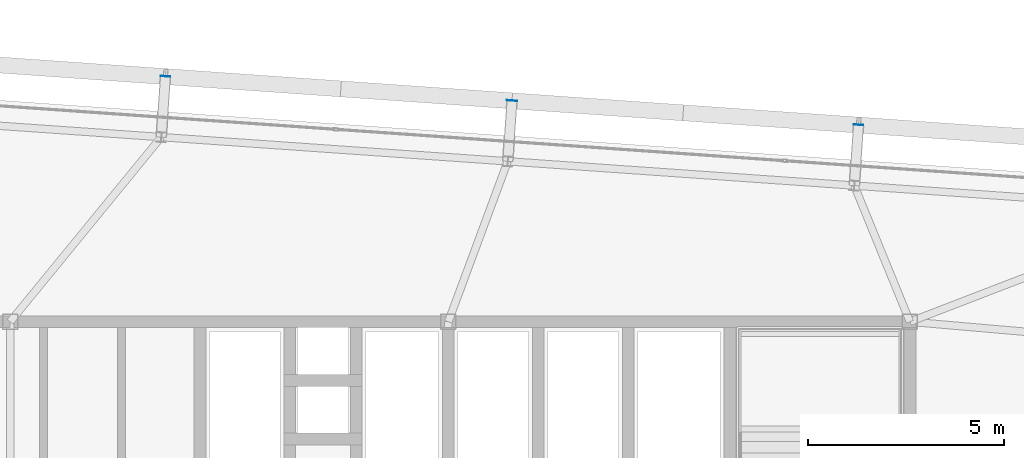
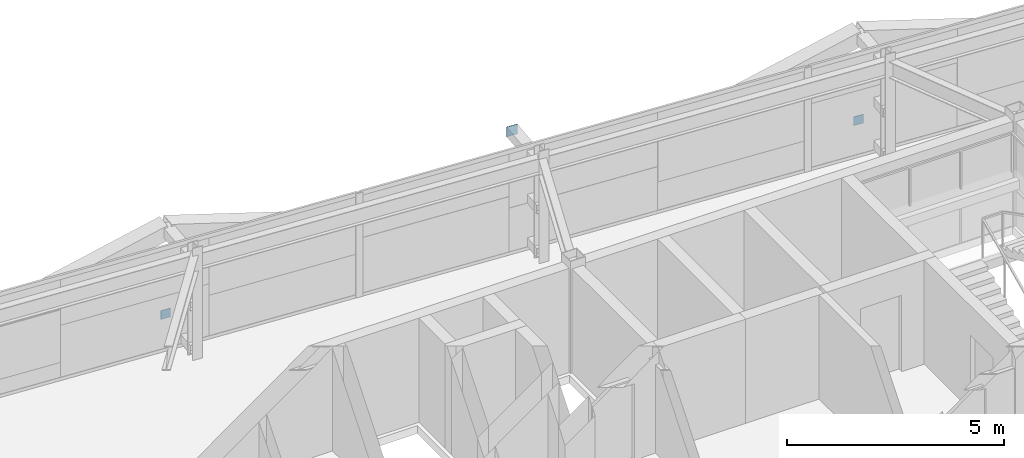
# One storey, part 33 of 39: 3 plates.
"""IFC4 building model written with IfcOpenShell, lengths in metres."""

from ifc_helpers import new_model, si_unit, direction, frame, origin, origin_2d, place, context, subcontext, project, spatial, rectangle, extrude, source, transform, mapped, material, layer, layer_set, type_object, element, save


model = new_model("IFC4")

# Units and contexts
model_context = context("Model", 3, precision=1e-05, world=origin(), true_north=direction((0.0, 1.0)))
body_context = subcontext(model_context, "Body", "Model", "MODEL_VIEW")
ifc_project = project(units=[si_unit("LENGTHUNIT", "METRE"), si_unit("AREAUNIT", "SQUARE_METRE"), si_unit("VOLUMEUNIT", "CUBIC_METRE"), si_unit("PLANEANGLEUNIT", "RADIAN"), si_unit("MASSUNIT", "GRAM", prefix="KILO")], contexts=[model_context])

# Site, building, storey
site_placement = place(None, origin())
site = spatial("IfcSite", under=ifc_project, at=site_placement, CompositionType="ELEMENT")
building_placement = place(site_placement, origin())
building = spatial("IfcBuilding", under=site, at=building_placement, Name="Taldren Reach Tower", CompositionType="ELEMENT")
storey_placement = place(building_placement, frame((0.0, 0.0, 155.050048828125)))
storey = spatial("IfcBuildingStorey", under=building, at=storey_placement, Name="L47", CompositionType="ELEMENT", Elevation=155.050048828125)

# Plates
ifc_material_1 = material(Name="Steel Gr 450 (C450L0)", Category="steel")
ifc_layer_1 = layer(ifc_material_1, 0.011962890625)
ifc_layer_set_1 = layer_set([ifc_layer_1], Name="Steel Gr 450 (C450L0)")
plate_type_1 = type_object("IfcPlateType", Name="PL-CAP-275", PredefinedType="SHEET", material=ifc_layer_set_1)
shared_shape_1 = source(origin(), body_context, "Body", "SweptSolid", [
    extrude(rectangle(XDim=0.27490234375, YDim=0.011962890625, at=origin_2d()), origin(), (0.0, 0.0, 1.0), 0.27490234375),
])
plate_placement = place(storey_placement, frame((40.828125, 37.652587890625, 2.512451171875), z_axis=(0.0, 0.0, 1.0), x_axis=(0.99756405026, -0.069756473744, 0.0)))
element("IfcPlate", 1, at=plate_placement, inside=storey, type_object=plate_type_1, Name="Tie strut end cap plate B3-N4 L47", PredefinedType="SHEET", context=body_context, shape_type="MappedRepresentation", body=[
    mapped(shared_shape_1, transform((0.0, 0.0, 0.0), scale=1.0)),
])
ifc_material_2 = material(Name="Steel Gr 350 (C350L0)", Category="steel")
ifc_layer_2 = layer(ifc_material_2, 0.011962890625)
ifc_layer_set_2 = layer_set([ifc_layer_2], Name="Steel Gr 350 (C350L0)")
plate_type_2 = type_object("IfcPlateType", Name="PL-CAP-250", PredefinedType="SHEET", material=ifc_layer_set_2)
shared_shape_2 = source(origin(), body_context, "Body", "SweptSolid", [
    extrude(rectangle(XDim=0.25, YDim=0.011962890625, at=origin_2d()), origin(), (0.0, 0.0, 1.0), 0.25),
])
for number, where, z_axis, x_axis, name in (
    (2, (31.969970703125, 38.272216796875, 0.094970703125), (0.0, 0.0, 1.0), (0.99756405026, -0.069756473744, 0.0), "Tie strut end cap plate B3-N3 L47"),
    (3, (49.6865234375, 37.033203125, 0.094970703125), (0.0, 0.0, 1.0), (0.99756405026, -0.069756473744, 0.0), "Tie strut end cap plate B3-N5 L47"),
):
    element("IfcPlate", number, at=place(storey_placement, frame(where, z_axis=z_axis, x_axis=x_axis)), inside=storey, type_object=plate_type_2, Name=name, PredefinedType="SHEET", context=body_context, shape_type="MappedRepresentation", body=[
        mapped(shared_shape_2, transform((0.0, 0.0, 0.0), scale=1.0)),
    ])

save(model, "model.ifc")
